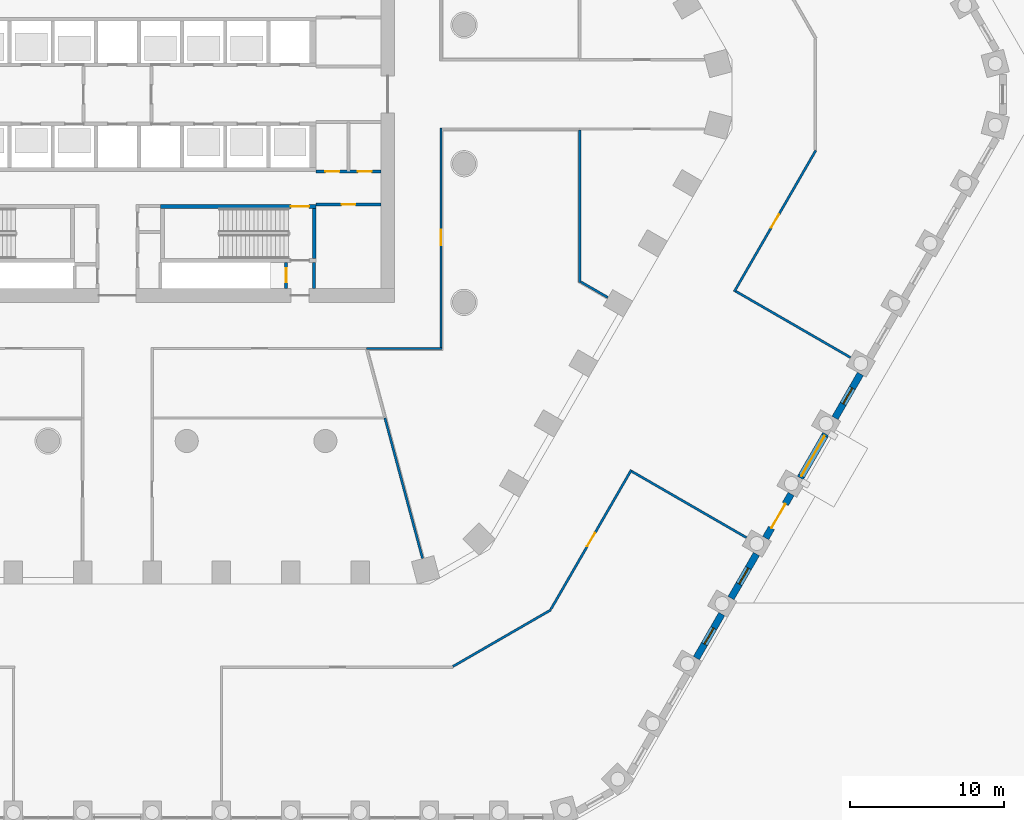
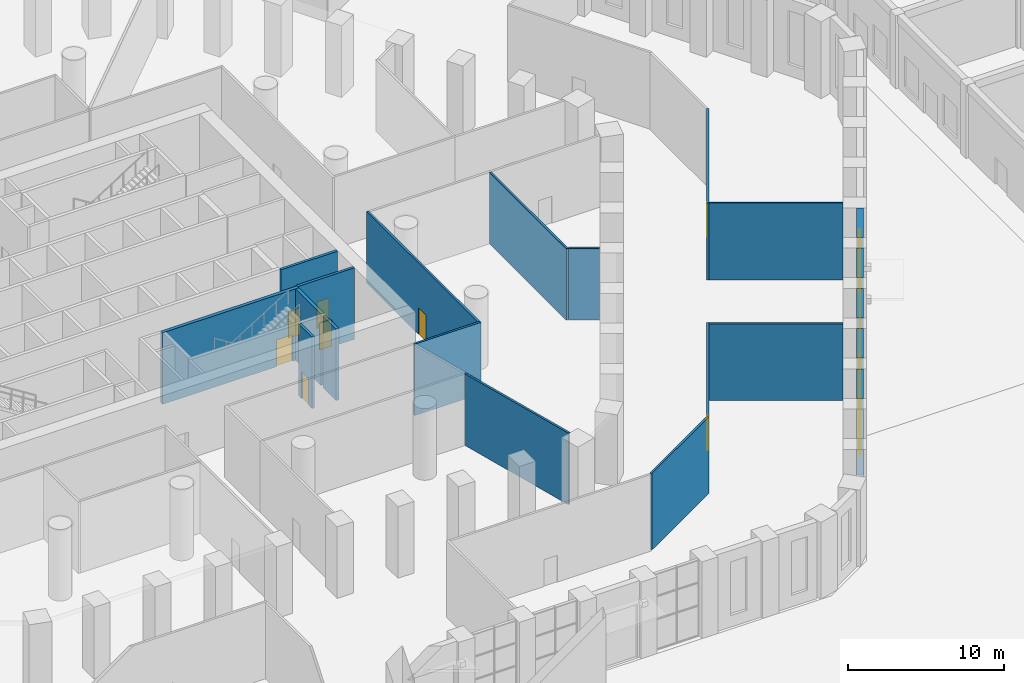
# One storey, part 17 of 44: 21 walls, 10 doors, 3 windows, 13 openings.
"""IFC4 building model written with IfcOpenShell, lengths in metres."""

from ifc_helpers import new_model, si_unit, direction, frame, frame_2d, origin, place, context, subcontext, project, spatial, rectangle, extrude, material, layer, layer_set, type_object, element, fill, save


model = new_model("IFC4")

# Units and contexts
model_context = context("Model", 3, precision=1e-05, world=origin(), true_north=direction((0.0, 1.0)))
body_context = subcontext(model_context, "Body", "Model", "MODEL_VIEW")
ifc_project = project(units=[si_unit("LENGTHUNIT", "METRE"), si_unit("AREAUNIT", "SQUARE_METRE"), si_unit("VOLUMEUNIT", "CUBIC_METRE"), si_unit("PLANEANGLEUNIT", "RADIAN"), si_unit("MASSUNIT", "GRAM", prefix="KILO")], contexts=[model_context])

# Site, building, storey
site_placement = place(None, origin())
site = spatial("IfcSite", under=ifc_project, at=site_placement, CompositionType="ELEMENT")
building_placement = place(site_placement, origin())
building = spatial("IfcBuilding", under=site, at=building_placement, Name="Dhurran Vertical Campus", CompositionType="ELEMENT")
storey_placement = place(building_placement, origin())
storey = spatial("IfcBuildingStorey", under=building, at=storey_placement, Name="L00", CompositionType="ELEMENT", Elevation=0.0)

# Wall, opening, window
ifc_material_1 = material(Name="Precast concrete C50/60", Category="concrete")
ifc_layer_1 = layer(ifc_material_1, 0.449951171875)
ifc_layer_set_1 = layer_set([ifc_layer_1], Name="Precast concrete C50/60")
wall_type_1 = type_object("IfcWallType", Name="Precast base wall 450", PredefinedType="SOLIDWALL", material=ifc_layer_set_1)
wall_1_placement = place(storey_placement, frame((37.579345703125, -36.591552734375, 0.0), z_axis=(0.0, 0.0, 1.0), x_axis=(0.499991515992, 0.866030301974, 0.0)))
wall_1 = element("IfcWall", 1, at=wall_1_placement, inside=storey, type_object=wall_type_1, Name="EW2 L00.16", PredefinedType="SOLIDWALL", context=body_context, shape_type="SweptSolid", body=[
    extrude(rectangle(XDim=3.298828125, YDim=0.449951171875, at=frame_2d((1.6494140625, 0.0))), origin(), (0.0, 0.0, 1.0), 6.0),
])
opening_1_placement = place(wall_1_placement, frame((1.049560546875, 0.0, 0.89990234375)))
opening_1 = element("IfcOpeningElement", 2, at=opening_1_placement, cuts=wall_1, Name="Opening WT5", PredefinedType="OPENING", context=body_context, shape_type="SweptSolid", body=[
    extrude(rectangle(XDim=1.199951171875, YDim=4.199951171875, at=frame_2d((0.60009765625, 2.10009765625))), frame((0.0, 0.23486328125, 0.0), z_axis=(0.0, -1.0, 0.0), x_axis=(1.0, 0.0, 0.0)), (0.0, 0.0, 1.0), 0.469970703125),
])
ifc_material_2 = material(Name="Aluminium frame with solar-control glass", Category="aluminium")
window_type = type_object("IfcWindowType", Name="Ring slot window 1200 x 4200", PartitioningType="SINGLE_PANEL", PredefinedType="WINDOW", material=ifc_material_2)
window_1_placement = place(opening_1_placement, origin())
window_1 = element("IfcWindow", 3, at=window_1_placement, inside=storey, type_object=window_type, Name="WT5 L00.16", OverallHeight=4.199951171875, OverallWidth=1.199951171875, PartitioningType="SINGLE_PANEL", PredefinedType="WINDOW", context=body_context, shape_type="SweptSolid", body=[
    extrude(rectangle(XDim=1.199951171875, YDim=4.199951171875, at=frame_2d((0.60009765625, 2.10009765625))), frame((0.0, 0.030029296875, 0.0), z_axis=(0.0, -1.0, 0.0), x_axis=(1.0, 0.0, 0.0)), (0.0, 0.0, 1.0), 0.06005859375),
])
fill(opening_1, window_1)

wall_2_placement = place(storey_placement, frame((39.829345703125, -32.6943359375, 0.0), z_axis=(0.0, 0.0, 1.0), x_axis=(0.499991515992, 0.866030301974, 0.0)))
wall_2 = element("IfcWall", 4, at=wall_2_placement, inside=storey, type_object=wall_type_1, Name="EW2 L00.17", PredefinedType="SOLIDWALL", context=body_context, shape_type="SweptSolid", body=[
    extrude(rectangle(XDim=3.298828125, YDim=0.449951171875, at=frame_2d((1.6494140625, 0.0))), origin(), (0.0, 0.0, 1.0), 6.0),
])
opening_2_placement = place(wall_2_placement, frame((1.049560546875, 0.0, 0.89990234375)))
opening_2 = element("IfcOpeningElement", 5, at=opening_2_placement, cuts=wall_2, Name="Opening WT5", PredefinedType="OPENING", context=body_context, shape_type="SweptSolid", body=[
    extrude(rectangle(XDim=1.199951171875, YDim=4.199951171875, at=frame_2d((0.60009765625, 2.10009765625))), frame((0.0, 0.23486328125, 0.0), z_axis=(0.0, -1.0, 0.0), x_axis=(1.0, 0.0, 0.0)), (0.0, 0.0, 1.0), 0.469970703125),
])
window_2_placement = place(opening_2_placement, origin())
window_2 = element("IfcWindow", 6, at=window_2_placement, inside=storey, type_object=window_type, Name="WT5 L00.17", OverallHeight=4.199951171875, OverallWidth=1.199951171875, PartitioningType="SINGLE_PANEL", PredefinedType="WINDOW", context=body_context, shape_type="SweptSolid", body=[
    extrude(rectangle(XDim=1.199951171875, YDim=4.199951171875, at=frame_2d((0.60009765625, 2.10009765625))), frame((0.0, 0.030029296875, 0.0), z_axis=(0.0, -1.0, 0.0), x_axis=(1.0, 0.0, 0.0)), (0.0, 0.0, 1.0), 0.06005859375),
])
fill(opening_2, window_2)

# Wall, opening, door
wall_3_placement = place(storey_placement, frame((43.728759765625, -25.940185546875, 0.0), z_axis=(0.0, 0.0, 1.0), x_axis=(-0.49995947208, -0.866048801325, 0.0)))
wall_3 = element("IfcWall", 7, at=wall_3_placement, inside=storey, type_object=wall_type_1, Name="EW2 L00.18", PredefinedType="SOLIDWALL", context=body_context, shape_type="SweptSolid", body=[
    extrude(rectangle(XDim=3.299072265625, YDim=0.449951171875, at=frame_2d((1.6494140625, 0.0))), origin(), (0.0, 0.0, 1.0), 6.0),
])
opening_3_placement = place(wall_3_placement, frame((0.74951171875, 0.0, 0.0)))
opening_3 = element("IfcOpeningElement", 8, at=opening_3_placement, cuts=wall_3, Name="Opening D007", PredefinedType="OPENING", context=body_context, shape_type="SweptSolid", body=[
    extrude(rectangle(XDim=1.800048828125, YDim=2.39990234375, at=frame_2d((0.89990234375, 1.199951171875))), frame((0.0, 0.23486328125, 0.0), z_axis=(0.0, -1.0, 0.0), x_axis=(1.0, 0.0, 0.0)), (0.0, 0.0, 1.0), 0.469970703125),
])
ifc_material_3 = material(Name="Steel, fire-rated", Category="steel")
door_type_1 = type_object("IfcDoorType", Name="Steel fire exit door pair 1800 x 2400", OperationType="DOUBLE_DOOR_SINGLE_SWING", PredefinedType="DOOR", material=ifc_material_3)
door_1_placement = place(opening_3_placement, origin())
door_1 = element("IfcDoor", 9, at=door_1_placement, inside=storey, type_object=door_type_1, Name="D007 stair exit discharge", OperationType="DOUBLE_DOOR_SINGLE_SWING", OverallHeight=2.39990234375, OverallWidth=1.800048828125, PredefinedType="DOOR", context=body_context, shape_type="SweptSolid", body=[
    extrude(rectangle(XDim=1.800048828125, YDim=2.39990234375, at=frame_2d((0.89990234375, 1.199951171875))), frame((0.0, 0.02490234375, 0.0), z_axis=(0.0, -1.0, 0.0), x_axis=(1.0, 0.0, 0.0)), (0.0, 0.0, 1.0), 0.050048828125),
])
fill(opening_3, door_1)

wall_4_placement = place(storey_placement, frame((45.978759765625, -22.043212890625, 0.0), z_axis=(0.0, 0.0, 1.0), x_axis=(-0.499991515992, -0.866030301974, 0.0)))
wall_4 = element("IfcWall", 10, at=wall_4_placement, inside=storey, type_object=wall_type_1, Name="EW2 L00.19", PredefinedType="SOLIDWALL", context=body_context, shape_type="SweptSolid", body=[
    extrude(rectangle(XDim=3.298828125, YDim=0.449951171875, at=frame_2d((1.6494140625, 0.0))), origin(), (0.0, 0.0, 1.0), 6.0),
])
opening_4_placement = place(wall_4_placement, frame((0.1494140625, 0.0, 0.0)))
opening_4 = element("IfcOpeningElement", 11, at=opening_4_placement, cuts=wall_4, Name="Opening D005", PredefinedType="OPENING", context=body_context, shape_type="SweptSolid", body=[
    extrude(rectangle(XDim=3.0, YDim=4.199951171875, at=frame_2d((1.5, 2.10009765625))), frame((0.0, 0.23486328125, 0.0), z_axis=(0.0, -1.0, 0.0), x_axis=(1.0, 0.0, 0.0)), (0.0, 0.0, 1.0), 0.469970703125),
])
ifc_material_4 = material(Name="Aluminium and clear glass", Category="aluminium")
door_type_2 = type_object("IfcDoorType", Name="Aluminium and glass entrance portal door pair 3000 x 4200", OperationType="DOUBLE_DOOR_SINGLE_SWING", PredefinedType="DOOR", material=ifc_material_4)
door_2_placement = place(opening_4_placement, origin())
door_2 = element("IfcDoor", 12, at=door_2_placement, inside=storey, type_object=door_type_2, Name="D005 east lobby entrance", OperationType="DOUBLE_DOOR_SINGLE_SWING", OverallHeight=4.199951171875, OverallWidth=3.0, PredefinedType="DOOR", context=body_context, shape_type="SweptSolid", body=[
    extrude(rectangle(XDim=3.0, YDim=4.199951171875, at=frame_2d((1.5, 2.10009765625))), frame((0.0, 0.02490234375, 0.0), z_axis=(0.0, -1.0, 0.0), x_axis=(1.0, 0.0, 0.0)), (0.0, 0.0, 1.0), 0.050048828125),
])
fill(opening_4, door_2)

# Wall, opening, window
wall_5_placement = place(storey_placement, frame((46.579345703125, -21.0029296875, 0.0), z_axis=(0.0, 0.0, 1.0), x_axis=(0.499991515992, 0.866030301974, 0.0)))
wall_5 = element("IfcWall", 13, at=wall_5_placement, inside=storey, type_object=wall_type_1, Name="EW2 L00.20", PredefinedType="SOLIDWALL", context=body_context, shape_type="SweptSolid", body=[
    extrude(rectangle(XDim=3.298828125, YDim=0.449951171875, at=frame_2d((1.6494140625, 0.0))), origin(), (0.0, 0.0, 1.0), 6.0),
])
opening_5_placement = place(wall_5_placement, frame((1.049560546875, 0.0, 0.89990234375)))
opening_5 = element("IfcOpeningElement", 14, at=opening_5_placement, cuts=wall_5, Name="Opening WT5", PredefinedType="OPENING", context=body_context, shape_type="SweptSolid", body=[
    extrude(rectangle(XDim=1.199951171875, YDim=4.199951171875, at=frame_2d((0.60009765625, 2.10009765625))), frame((0.0, 0.23486328125, 0.0), z_axis=(0.0, -1.0, 0.0), x_axis=(1.0, 0.0, 0.0)), (0.0, 0.0, 1.0), 0.469970703125),
])
window_3_placement = place(opening_5_placement, origin())
window_3 = element("IfcWindow", 15, at=window_3_placement, inside=storey, type_object=window_type, Name="WT5 L00.20", OverallHeight=4.199951171875, OverallWidth=1.199951171875, PartitioningType="SINGLE_PANEL", PredefinedType="WINDOW", context=body_context, shape_type="SweptSolid", body=[
    extrude(rectangle(XDim=1.199951171875, YDim=4.199951171875, at=frame_2d((0.60009765625, 2.10009765625))), frame((0.0, 0.030029296875, 0.0), z_axis=(0.0, -1.0, 0.0), x_axis=(1.0, 0.0, 0.0)), (0.0, 0.0, 1.0), 0.06005859375),
])
fill(opening_5, window_3)

# Wall
ifc_material_5 = material(Name="Fire-rated masonry blockwork", Category="masonry")
ifc_layer_2 = layer(ifc_material_5, 0.199951171875)
ifc_layer_set_2 = layer_set([ifc_layer_2], Name="Fire-rated masonry blockwork")
wall_type_2 = type_object("IfcWallType", Name="co-FIRE-PARTITION-200", PredefinedType="PARTITIONING", material=ifc_layer_set_2)
wall_6_placement = place(storey_placement, frame((12.75, -12.60009765625, 0.0), z_axis=(0.0, 0.0, 1.0), x_axis=(0.0, 1.0, 0.0)))
element("IfcWall", 16, at=wall_6_placement, inside=storey, type_object=wall_type_2, Name="Core partition pass-ST4-o L00", PredefinedType="PARTITIONING", context=body_context, shape_type="SweptSolid", body=[
    extrude(rectangle(XDim=1.7001953125, YDim=0.199951171875, at=frame_2d((0.85009765625, 0.0))), origin(), (0.0, 0.0, 1.0), 5.60009765625),
])

# Wall, opening, door
wall_7_placement = place(storey_placement, frame((10.949951171875, -12.60009765625, 0.0), z_axis=(0.0, 0.0, 1.0), x_axis=(0.0, 1.0, 0.0)))
wall_7 = element("IfcWall", 17, at=wall_7_placement, inside=storey, type_object=wall_type_2, Name="Core partition pass-ST4-i L00", PredefinedType="PARTITIONING", context=body_context, shape_type="SweptSolid", body=[
    extrude(rectangle(XDim=1.7001953125, YDim=0.199951171875, at=frame_2d((0.85009765625, 0.0))), origin(), (0.0, 0.0, 1.0), 5.60009765625),
])
opening_6_placement = place(wall_7_placement, frame((0.39990234375, 0.0, 0.0)))
opening_6 = element("IfcOpeningElement", 18, at=opening_6_placement, cuts=wall_7, Name="Opening PD00-C14", PredefinedType="OPENING", context=body_context, shape_type="SweptSolid", body=[
    extrude(rectangle(XDim=0.89990234375, YDim=2.10009765625, at=frame_2d((0.449951171875, 1.050048828125))), frame((0.0, 0.10986328125, 0.0), z_axis=(0.0, -1.0, 0.0), x_axis=(1.0, 0.0, 0.0)), (0.0, 0.0, 1.0), 0.219970703125),
])
ifc_material_6 = material(Name="Fire-rated timber door set", Category="wood")
door_type_3 = type_object("IfcDoorType", Name="co-D-ROOM 900x2100", OperationType="SINGLE_SWING_LEFT", PredefinedType="DOOR", material=ifc_material_6)
door_3_placement = place(opening_6_placement, origin())
door_3 = element("IfcDoor", 19, at=door_3_placement, inside=storey, type_object=door_type_3, Name="Riser room door L00", OperationType="SINGLE_SWING_LEFT", OverallHeight=2.10009765625, OverallWidth=0.89990234375, PredefinedType="DOOR", context=body_context, shape_type="SweptSolid", body=[
    extrude(rectangle(XDim=0.89990234375, YDim=2.10009765625, at=frame_2d((0.449951171875, 1.050048828125))), frame((0.0, 0.02490234375, 0.0), z_axis=(0.0, -1.0, 0.0), x_axis=(1.0, 0.0, 0.0)), (0.0, 0.0, 1.0), 0.050048828125),
])
fill(opening_6, door_3)

wall_8_placement = place(storey_placement, frame((12.89990234375, -7.14990234375, 0.0), z_axis=(0.0, 0.0, 1.0), x_axis=(1.0, 0.0, 0.0)))
wall_8 = element("IfcWall", 20, at=wall_8_placement, inside=storey, type_object=wall_type_2, Name="Core partition en-SE-w L00", PredefinedType="PARTITIONING", context=body_context, shape_type="SweptSolid", body=[
    extrude(rectangle(XDim=4.2001953125, YDim=0.199951171875, at=frame_2d((2.10009765625, 0.0))), origin(), (0.0, 0.0, 1.0), 5.60009765625),
])
opening_7_placement = place(wall_8_placement, frame((1.64990234375, 0.0, 0.0)))
opening_7 = element("IfcOpeningElement", 21, at=opening_7_placement, cuts=wall_8, Name="Opening PD00-C22", PredefinedType="OPENING", context=body_context, shape_type="SweptSolid", body=[
    extrude(rectangle(XDim=0.89990234375, YDim=2.10009765625, at=frame_2d((0.449951171875, 1.050048828125))), frame((0.0, 0.10986328125, 0.0), z_axis=(0.0, -1.0, 0.0), x_axis=(1.0, 0.0, 0.0)), (0.0, 0.0, 1.0), 0.219970703125),
])
door_4_placement = place(opening_7_placement, origin())
door_4 = element("IfcDoor", 22, at=door_4_placement, inside=storey, type_object=door_type_3, Name="Water riser door L00", OperationType="SINGLE_SWING_LEFT", OverallHeight=2.10009765625, OverallWidth=0.89990234375, PredefinedType="DOOR", context=body_context, shape_type="SweptSolid", body=[
    extrude(rectangle(XDim=0.89990234375, YDim=2.10009765625, at=frame_2d((0.449951171875, 1.050048828125))), frame((0.0, 0.02490234375, 0.0), z_axis=(0.0, -1.0, 0.0), x_axis=(1.0, 0.0, 0.0)), (0.0, 0.0, 1.0), 0.050048828125),
])
fill(opening_7, door_4)

# Wall, openings, doors
wall_9_placement = place(storey_placement, frame((12.89990234375, -5.0, 0.0), z_axis=(0.0, 0.0, 1.0), x_axis=(1.0, 0.0, 0.0)))
wall_9 = element("IfcWall", 23, at=wall_9_placement, inside=storey, type_object=wall_type_2, Name="Core partition es-SE-w L00", PredefinedType="PARTITIONING", context=body_context, shape_type="SweptSolid", body=[
    extrude(rectangle(XDim=4.2001953125, YDim=0.199951171875, at=frame_2d((2.10009765625, 0.0))), origin(), (0.0, 0.0, 1.0), 5.60009765625),
])
opening_8_placement = place(wall_9_placement, frame((0.60009765625, 0.0, 0.0)))
opening_8 = element("IfcOpeningElement", 24, at=opening_8_placement, cuts=wall_9, Name="Opening PD00-C23", PredefinedType="OPENING", context=body_context, shape_type="SweptSolid", body=[
    extrude(rectangle(XDim=0.89990234375, YDim=2.10009765625, at=frame_2d((0.449951171875, 1.050048828125))), frame((0.0, 0.10986328125, 0.0), z_axis=(0.0, -1.0, 0.0), x_axis=(1.0, 0.0, 0.0)), (0.0, 0.0, 1.0), 0.219970703125),
])
opening_9_placement = place(wall_9_placement, frame((2.699951171875, 0.0, 0.0)))
opening_9 = element("IfcOpeningElement", 25, at=opening_9_placement, cuts=wall_9, Name="Opening PD00-C24", PredefinedType="OPENING", context=body_context, shape_type="SweptSolid", body=[
    extrude(rectangle(XDim=0.89990234375, YDim=2.10009765625, at=frame_2d((0.449951171875, 1.050048828125))), frame((0.0, 0.10986328125, 0.0), z_axis=(0.0, -1.0, 0.0), x_axis=(1.0, 0.0, 0.0)), (0.0, 0.0, 1.0), 0.219970703125),
])
door_5_placement = place(opening_8_placement, origin())
door_5 = element("IfcDoor", 26, at=door_5_placement, inside=storey, type_object=door_type_3, Name="Electrical riser door L00", OperationType="SINGLE_SWING_LEFT", OverallHeight=2.10009765625, OverallWidth=0.89990234375, PredefinedType="DOOR", context=body_context, shape_type="SweptSolid", body=[
    extrude(rectangle(XDim=0.89990234375, YDim=2.10009765625, at=frame_2d((0.449951171875, 1.050048828125))), frame((0.0, 0.02490234375, 0.0), z_axis=(0.0, -1.0, 0.0), x_axis=(1.0, 0.0, 0.0)), (0.0, 0.0, 1.0), 0.050048828125),
])
fill(opening_8, door_5)
door_6_placement = place(opening_9_placement, origin())
door_6 = element("IfcDoor", 27, at=door_6_placement, inside=storey, type_object=door_type_3, Name="Store door L00", OperationType="SINGLE_SWING_LEFT", OverallHeight=2.10009765625, OverallWidth=0.89990234375, PredefinedType="DOOR", context=body_context, shape_type="SweptSolid", body=[
    extrude(rectangle(XDim=0.89990234375, YDim=2.10009765625, at=frame_2d((0.449951171875, 1.050048828125))), frame((0.0, 0.02490234375, 0.0), z_axis=(0.0, -1.0, 0.0), x_axis=(1.0, 0.0, 0.0)), (0.0, 0.0, 1.0), 0.050048828125),
])
fill(opening_9, door_6)

# Wall, opening, door
ifc_material_7 = material(Name="Concrete C40/50", Category="concrete")
ifc_layer_3 = layer(ifc_material_7, 0.25)
ifc_layer_set_3 = layer_set([ifc_layer_3], Name="Concrete C40/50")
wall_type_3 = type_object("IfcWallType", Name="co-STAIR-WALL-250", PredefinedType="SHEAR", material=ifc_layer_set_3)
wall_10_placement = place(storey_placement, frame((2.800048828125, -7.27490234375, 0.0), z_axis=(0.0, 0.0, 1.0), x_axis=(1.0, 0.0, 0.0)))
wall_10 = element("IfcWall", 28, at=wall_10_placement, inside=storey, type_object=wall_type_3, Name="Stair ST4 enclosure wall L00", PredefinedType="SHEAR", context=body_context, shape_type="SweptSolid", body=[
    extrude(rectangle(XDim=10.099853515625, YDim=0.25, at=frame_2d((5.0498046875, 0.0))), origin(), (0.0, 0.0, 1.0), 5.60009765625),
])
opening_10_placement = place(wall_10_placement, frame((8.449951171875, 0.0, 0.0)))
opening_10 = element("IfcOpeningElement", 29, at=opening_10_placement, cuts=wall_10, Name="Opening SD4", PredefinedType="OPENING", context=body_context, shape_type="SweptSolid", body=[
    extrude(rectangle(XDim=1.199951171875, YDim=2.10009765625, at=frame_2d((0.60009765625, 1.050048828125))), frame((0.0, 0.135009765625, 0.0), z_axis=(0.0, -1.0, 0.0), x_axis=(1.0, 0.0, 0.0)), (0.0, 0.0, 1.0), 0.27001953125),
])
ifc_material_8 = material(Name="Fire-rated steel door set", Category="steel")
door_type_4 = type_object("IfcDoorType", Name="co-D-STAIR 1200x2100", OperationType="SINGLE_SWING_LEFT", PredefinedType="DOOR", material=ifc_material_8)
door_7_placement = place(opening_10_placement, origin())
door_7 = element("IfcDoor", 30, at=door_7_placement, inside=storey, type_object=door_type_4, Name="Stair ST4 door L00", OperationType="SINGLE_SWING_LEFT", OverallHeight=2.10009765625, OverallWidth=1.199951171875, PredefinedType="DOOR", context=body_context, shape_type="SweptSolid", body=[
    extrude(rectangle(XDim=1.199951171875, YDim=2.10009765625, at=frame_2d((0.60009765625, 1.050048828125))), frame((0.0, 0.02490234375, 0.0), z_axis=(0.0, -1.0, 0.0), x_axis=(1.0, 0.0, 0.0)), (0.0, 0.0, 1.0), 0.050048828125),
])
fill(opening_10, door_7)

# Walls
wall_11_placement = place(storey_placement, frame((12.77490234375, -10.64990234375, 0.0), z_axis=(0.0, 0.0, 1.0), x_axis=(0.0, 1.0, 0.0)))
element("IfcWall", 31, at=wall_11_placement, inside=storey, type_object=wall_type_3, Name="Stair ST4 enclosure wall L00", PredefinedType="SHEAR", context=body_context, shape_type="SweptSolid", body=[
    extrude(rectangle(XDim=3.25, YDim=0.25, at=frame_2d((1.625, 0.0))), origin(), (0.0, 0.0, 1.0), 5.60009765625),
])
ifc_material_9 = material(Name="Gypsum board corridor wall on steel studs", Category="steel")
ifc_layer_4 = layer(ifc_material_9, 0.14990234375)
ifc_layer_set_4 = layer_set([ifc_layer_4], Name="Gypsum board corridor wall on steel studs")
wall_type_4 = type_object("IfcWallType", Name="fl-CW-150 corridor wall", PredefinedType="PARTITIONING", material=ifc_layer_set_4)
wall_12_placement = place(storey_placement, frame((16.156005859375, -16.5, 0.0), z_axis=(0.0, 0.0, 1.0), x_axis=(1.0, 0.0, 0.0)))
element("IfcWall", 32, at=wall_12_placement, inside=storey, type_object=wall_type_4, Name="Partition 00-60", PredefinedType="PARTITIONING", context=body_context, shape_type="SweptSolid", body=[
    extrude(rectangle(XDim=4.9189453125, YDim=0.14990234375, at=frame_2d((2.45947265625, 0.0))), origin(), (0.0, 0.0, 1.0), 5.60009765625),
])

# Wall, opening, door
wall_13_placement = place(storey_placement, frame((21.0, -16.425048828125, 0.0), z_axis=(0.0, 0.0, 1.0), x_axis=(0.0, 1.0, 0.0)))
wall_13 = element("IfcWall", 33, at=wall_13_placement, inside=storey, type_object=wall_type_4, Name="Partition 00-62", PredefinedType="PARTITIONING", context=body_context, shape_type="SweptSolid", body=[
    extrude(rectangle(XDim=14.25, YDim=0.14990234375, at=frame_2d((7.125, 0.0))), origin(), (0.0, 0.0, 1.0), 5.60009765625),
])
opening_11_placement = place(wall_13_placement, frame((6.625, 0.0, 0.0)))
opening_11 = element("IfcOpeningElement", 34, at=opening_11_placement, cuts=wall_13, Name="Opening PD00.27", PredefinedType="OPENING", context=body_context, shape_type="SweptSolid", body=[
    extrude(rectangle(XDim=1.0, YDim=2.10009765625, at=frame_2d((0.5, 1.050048828125))), frame((0.0, 0.0849609375, 0.0), z_axis=(0.0, -1.0, 0.0), x_axis=(1.0, 0.0, 0.0)), (0.0, 0.0, 1.0), 0.169921875),
])
ifc_material_10 = material(Name="Solid-core timber door set, fire-rated", Category="wood")
door_type_5 = type_object("IfcDoorType", Name="fl-D-1000x2100", OperationType="SINGLE_SWING_LEFT", PredefinedType="DOOR", material=ifc_material_10)
door_8_placement = place(opening_11_placement, origin())
door_8 = element("IfcDoor", 35, at=door_8_placement, inside=storey, type_object=door_type_5, Name="Door 00.27", OperationType="SINGLE_SWING_RIGHT", OverallHeight=2.10009765625, OverallWidth=1.0, PredefinedType="DOOR", context=body_context, shape_type="SweptSolid", body=[
    extrude(rectangle(XDim=1.0, YDim=2.10009765625, at=frame_2d((0.5, 1.050048828125))), frame((0.0, 0.02490234375, 0.0), z_axis=(0.0, -1.0, 0.0), x_axis=(1.0, 0.0, 0.0)), (0.0, 0.0, 1.0), 0.050048828125),
])
fill(opening_11, door_8)

# Wall
wall_14_placement = place(storey_placement, frame((28.138916015625, -33.46044921875, 0.0), z_axis=(0.0, 0.0, 1.0), x_axis=(-0.866011067739, -0.500024829938, 0.0)))
element("IfcWall", 36, at=wall_14_placement, inside=storey, type_object=wall_type_4, Name="Partition 00-66", PredefinedType="PARTITIONING", context=body_context, shape_type="SweptSolid", body=[
    extrude(rectangle(XDim=7.338623046875, YDim=0.14990234375, at=frame_2d((3.66943359375, 0.0))), origin(), (0.0, 0.0, 1.0), 6.0),
])

# Wall, opening, door
wall_15_placement = place(storey_placement, frame((33.361572265625, -24.37109375, 0.0), z_axis=(0.0, 0.0, 1.0), x_axis=(-0.500054877109, -0.865993718152, 0.0)))
wall_15 = element("IfcWall", 37, at=wall_15_placement, inside=storey, type_object=wall_type_4, Name="Partition 00-68", PredefinedType="PARTITIONING", context=body_context, shape_type="SweptSolid", body=[
    extrude(rectangle(XDim=10.447021484375, YDim=0.14990234375, at=frame_2d((5.2236328125, 0.0))), origin(), (0.0, 0.0, 1.0), 6.0),
])
opening_12_placement = place(wall_15_placement, frame((4.723388671875, 0.0, 0.0)))
opening_12 = element("IfcOpeningElement", 38, at=opening_12_placement, cuts=wall_15, Name="Opening PD00.04", PredefinedType="OPENING", context=body_context, shape_type="SweptSolid", body=[
    extrude(rectangle(XDim=1.0, YDim=2.10009765625, at=frame_2d((0.5, 1.050048828125))), frame((0.0, 0.0849609375, 0.0), z_axis=(0.0, -1.0, 0.0), x_axis=(1.0, 0.0, 0.0)), (0.0, 0.0, 1.0), 0.169921875),
])
door_9_placement = place(opening_12_placement, origin())
door_9 = element("IfcDoor", 39, at=door_9_placement, inside=storey, type_object=door_type_5, Name="Door 00.04", OperationType="SINGLE_SWING_RIGHT", OverallHeight=2.10009765625, OverallWidth=1.0, PredefinedType="DOOR", context=body_context, shape_type="SweptSolid", body=[
    extrude(rectangle(XDim=1.0, YDim=2.10009765625, at=frame_2d((0.5, 1.050048828125))), frame((0.0, 0.02490234375, 0.0), z_axis=(0.0, -1.0, 0.0), x_axis=(1.0, 0.0, 0.0)), (0.0, 0.0, 1.0), 0.050048828125),
])
fill(opening_12, door_9)

# Wall
wall_16_placement = place(storey_placement, frame((40.83056640625, -28.77001953125, 0.0), z_axis=(0.0, 0.0, 1.0), x_axis=(-0.866015728299, 0.500016758057, 0.0)))
element("IfcWall", 40, at=wall_16_placement, inside=storey, type_object=wall_type_4, Name="Partition 00-76", PredefinedType="PARTITIONING", context=body_context, shape_type="SweptSolid", body=[
    extrude(rectangle(XDim=8.593017578125, YDim=0.14990234375, at=frame_2d((4.29638671875, 0.0))), origin(), (0.0, 0.0, 1.0), 6.0),
])

# Wall, opening, door
wall_17_placement = place(storey_placement, frame((45.33447265625, -3.632080078125, 0.0), z_axis=(0.0, 0.0, 1.0), x_axis=(-0.499965106835, -0.866045548425, 0.0)))
wall_17 = element("IfcWall", 41, at=wall_17_placement, inside=storey, type_object=wall_type_4, Name="Partition 00-78", PredefinedType="PARTITIONING", context=body_context, shape_type="SweptSolid", body=[
    extrude(rectangle(XDim=10.596435546875, YDim=0.14990234375, at=frame_2d((5.29833984375, 0.0))), origin(), (0.0, 0.0, 1.0), 6.0),
])
opening_13_placement = place(wall_17_placement, frame((4.79833984375, 0.0, 0.0)))
opening_13 = element("IfcOpeningElement", 42, at=opening_13_placement, cuts=wall_17, Name="Opening PD00.05", PredefinedType="OPENING", context=body_context, shape_type="SweptSolid", body=[
    extrude(rectangle(XDim=1.0, YDim=2.10009765625, at=frame_2d((0.5, 1.050048828125))), frame((0.0, 0.0849609375, 0.0), z_axis=(0.0, -1.0, 0.0), x_axis=(1.0, 0.0, 0.0)), (0.0, 0.0, 1.0), 0.169921875),
])
door_10_placement = place(opening_13_placement, origin())
door_10 = element("IfcDoor", 43, at=door_10_placement, inside=storey, type_object=door_type_5, Name="Door 00.05", OperationType="SINGLE_SWING_RIGHT", OverallHeight=2.10009765625, OverallWidth=1.0, PredefinedType="DOOR", context=body_context, shape_type="SweptSolid", body=[
    extrude(rectangle(XDim=1.0, YDim=2.10009765625, at=frame_2d((0.5, 1.050048828125))), frame((0.0, 0.02490234375, 0.0), z_axis=(0.0, -1.0, 0.0), x_axis=(1.0, 0.0, 0.0)), (0.0, 0.0, 1.0), 0.050048828125),
])
fill(opening_13, door_10)

# Walls
wall_18_placement = place(storey_placement, frame((40.138916015625, -12.781494140625, 0.0), z_axis=(0.0, 0.0, 1.0), x_axis=(0.866022831428, -0.500004455426, 0.0)))
element("IfcWall", 44, at=wall_18_placement, inside=storey, type_object=wall_type_4, Name="Partition 00-79", PredefinedType="PARTITIONING", context=body_context, shape_type="SweptSolid", body=[
    extrude(rectangle(XDim=8.59326171875, YDim=0.14990234375, at=frame_2d((4.296630859375, 0.0))), origin(), (0.0, 0.0, 1.0), 6.0),
])
ifc_material_11 = material(Name="Gypsum board partition on steel studs", Category="steel")
ifc_layer_5 = layer(ifc_material_11, 0.14990234375)
ifc_layer_set_5 = layer_set([ifc_layer_5], Name="Gypsum board partition on steel studs")
wall_type_5 = type_object("IfcWallType", Name="fl-PW-150 fixed partition", PredefinedType="PARTITIONING", material=ifc_layer_set_5)
wall_19_placement = place(storey_placement, frame((17.362060546875, -21.0, 0.0), z_axis=(0.0, 0.0, 1.0), x_axis=(0.258805468398, -0.965929464054, 0.0)))
element("IfcWall", 45, at=wall_19_placement, inside=storey, type_object=wall_type_5, Name="Partition 00-61", PredefinedType="PARTITIONING", context=body_context, shape_type="SweptSolid", body=[
    extrude(rectangle(XDim=9.43896484375, YDim=0.14990234375, at=frame_2d((4.719482421875, 0.0))), origin(), (0.0, 0.0, 1.0), 5.60009765625),
])
wall_20_placement = place(storey_placement, frame((30.0, -2.324951171875, 0.0), z_axis=(0.0, 0.0, 1.0), x_axis=(0.0, -1.0, 0.0)))
element("IfcWall", 46, at=wall_20_placement, inside=storey, type_object=wall_type_5, Name="Partition 00-70", PredefinedType="PARTITIONING", context=body_context, shape_type="SweptSolid", body=[
    extrude(rectangle(XDim=9.8740234375, YDim=0.14990234375, at=frame_2d((4.93701171875, 0.0))), origin(), (0.0, 0.0, 1.0), 5.60009765625),
])
wall_21_placement = place(storey_placement, frame((30.086669921875, -12.174072265625, 0.0), z_axis=(0.0, 0.0, 1.0), x_axis=(0.86600389892, -0.500037245667, 0.0)))
element("IfcWall", 47, at=wall_21_placement, inside=storey, type_object=wall_type_5, Name="Partition 00-71", PredefinedType="PARTITIONING", context=body_context, shape_type="SweptSolid", body=[
    extrude(rectangle(XDim=2.013916015625, YDim=0.14990234375, at=frame_2d((1.0068359375, 0.0))), origin(), (0.0, 0.0, 1.0), 5.60009765625),
])

save(model, "model.ifc")
